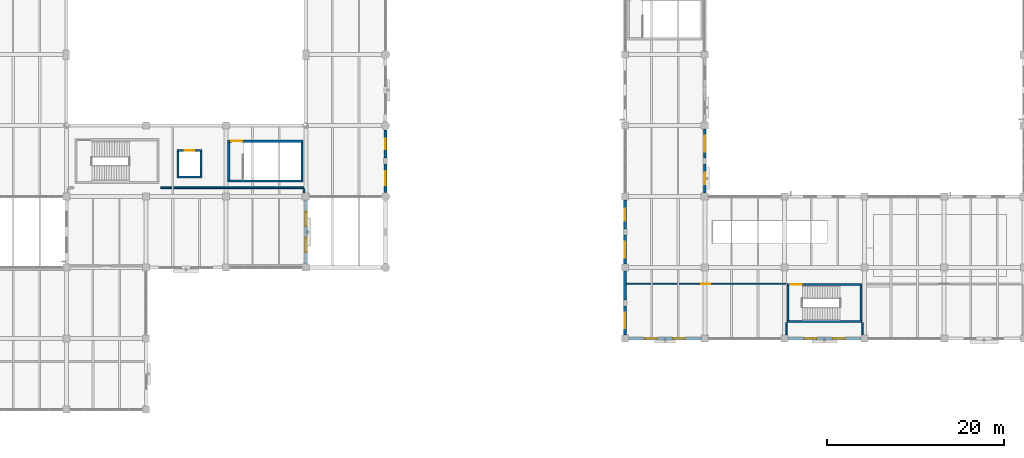
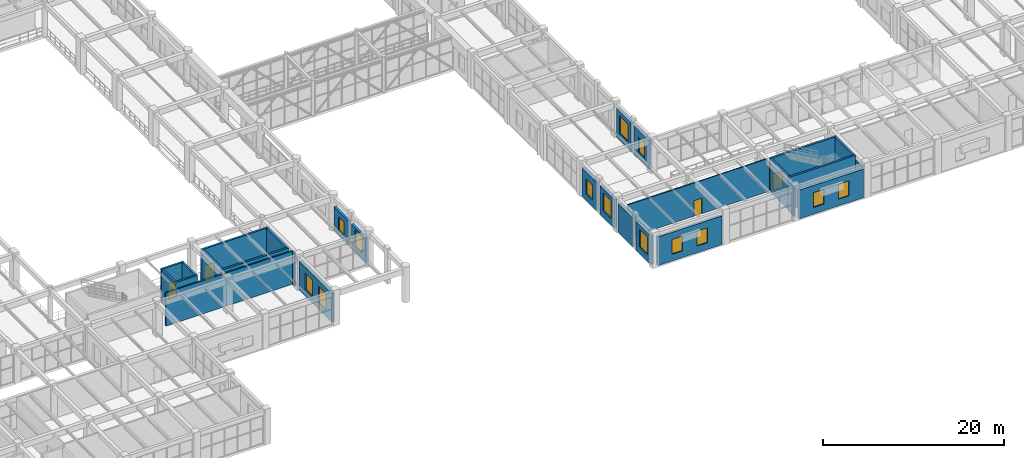
# One storey, part 152 of 178: 28 walls, 13 windows, 4 doors, 17 openings.
"""IFC4 building model written with IfcOpenShell, lengths in metres."""

import ifcopenshell
import ifcopenshell.guid

model = None  # the IFC model being written
_history = None  # IfcOwnerHistory: only IFC2X3 demands one
_inside = {}  # id of a spatial element -> (the spatial element, [elements in it])
_under = {}  # id of a project, library or spatial element -> (it, [spatial elements below it])
_declared = {}  # id of a project -> (the project, [libraries it declares])
_typed = {}  # id of a type object -> (the type object, [elements of that type])
_made_of = {}  # id of a material, layer set ... -> (it, [elements and type objects made of it])


def new_model(schema):
    """Start an empty IFC model of exactly this schema.

    Asked for "IFC4X3", IfcOpenShell would pick the latest addendum, in which some entities
    have other attributes; the version numbers below select the first issue.
    IFC2X3 requires an IfcOwnerHistory on every rooted entity: one is made here for all.
    """
    global model, _history
    if schema == "IFC4X3":
        model = ifcopenshell.file(schema_version=(4, 3, 0, 0))
    else:
        model = ifcopenshell.file(schema=schema)
    _inside.clear()
    _under.clear()
    _declared.clear()
    _typed.clear()
    _made_of.clear()
    _history = None
    if model.schema == "IFC2X3":
        org = make("IfcOrganization", Name="unknown")
        user = make(
            "IfcPersonAndOrganization",
            ThePerson=make("IfcPerson", FamilyName="unknown"),
            TheOrganization=org,
        )
        app = make(
            "IfcApplication",
            ApplicationDeveloper=org,
            Version="unknown",
            ApplicationFullName="unknown",
            ApplicationIdentifier="unknown",
        )
        _history = make(
            "IfcOwnerHistory",
            OwningUser=user,
            OwningApplication=app,
            ChangeAction="ADDED",
            CreationDate=0,
        )
    return model


def make(cls, **values):
    """One entity of the class cls with the attributes given. An attribute that is None is left unset."""
    return model.create_entity(
        cls, **{name: value for name, value in values.items() if value is not None}
    )


def rooted(cls, **values):
    """An entity with a GlobalId (a new one), such as an element, a storey or a relation."""
    return make(cls, GlobalId=ifcopenshell.guid.new(), OwnerHistory=_history, **values)


def si_unit(unit_type, name, prefix=None):
    """IfcSIUnit, for example si_unit("LENGTHUNIT", "METRE", prefix="MILLI")."""
    return make("IfcSIUnit", UnitType=unit_type, Prefix=prefix, Name=name)


def derived_unit(unit_type, elements):
    """IfcDerivedUnit: a product of units, each with its exponent."""
    return make(
        "IfcDerivedUnit",
        Elements=[
            make("IfcDerivedUnitElement", Unit=unit, Exponent=power)
            for unit, power in elements
        ],
        UnitType=unit_type,
    )


def assignment(units):
    """IfcUnitAssignment: the units of a project."""
    return None if units is None else make("IfcUnitAssignment", Units=units)


def point(xyz):
    """IfcCartesianPoint."""
    return None if xyz is None else make("IfcCartesianPoint", Coordinates=xyz)


def direction(xyz):
    """IfcDirection."""
    return None if xyz is None else make("IfcDirection", DirectionRatios=xyz)


def frame(location, z_axis=None, x_axis=None):
    """IfcAxis2Placement3D, a coordinate frame: its origin and axes. An axis left out is left unset."""
    return make(
        "IfcAxis2Placement3D",
        Location=point(location),
        Axis=direction(z_axis),
        RefDirection=direction(x_axis),
    )


def frame_2d(location, x_axis=None):
    """IfcAxis2Placement2D, a coordinate frame in the plane: its origin and x axis."""
    return make(
        "IfcAxis2Placement2D", Location=point(location), RefDirection=direction(x_axis)
    )


def origin():
    """The frame at (0, 0, 0) with its axes left unset."""
    return frame((0.0, 0.0, 0.0))


def place(relative_to, where):
    """IfcLocalPlacement: puts the frame where relative to a parent placement (None: the world)."""
    return make(
        "IfcLocalPlacement", PlacementRelTo=relative_to, RelativePlacement=where
    )


def context(
    kind, dimensions, precision=None, world=None, true_north=None, identifier=None
):
    """IfcGeometricRepresentationContext, for example the 3D "Model" context."""
    return make(
        "IfcGeometricRepresentationContext",
        ContextIdentifier=identifier,
        ContextType=kind,
        CoordinateSpaceDimension=dimensions,
        Precision=precision,
        WorldCoordinateSystem=world,
        TrueNorth=true_north,
    )


def subcontext(parent, identifier, kind, view, scale=None):
    """IfcGeometricRepresentationSubContext, for example "Body" below "Model"."""
    return make(
        "IfcGeometricRepresentationSubContext",
        ContextIdentifier=identifier,
        ContextType=kind,
        ParentContext=parent,
        TargetScale=scale,
        TargetView=view,
    )


def project(units=None, contexts=None):
    """IfcProject with its units and contexts."""
    return rooted(
        "IfcProject",
        Name="project",
        RepresentationContexts=contexts,
        UnitsInContext=assignment(units),
    )


def spatial(cls, under=None, at=None, **own):
    """A site, building, storey or space (cls), placed at a placement, below another one or the project."""
    s = rooted(cls, ObjectPlacement=at, **own)
    if under is not None:
        _under.setdefault(under.id(), (under, []))[1].append(s)
    return s


def profile(cls, at=None, kind="AREA", **sizes):
    """A parametric profile (cls). Its sizes go by their IFC names, for example OverallWidth=200.0."""
    return make(cls, ProfileType=kind, Position=at, **sizes)


def rectangle(**sizes):
    """IfcRectangleProfileDef."""
    return profile("IfcRectangleProfileDef", **sizes)


def extrude(swept, where, along, depth):
    """IfcExtrudedAreaSolid: the profile swept, set in the frame where, extruded along a direction by depth."""
    return make(
        "IfcExtrudedAreaSolid",
        SweptArea=swept,
        Position=where,
        ExtrudedDirection=direction(along),
        Depth=depth,
    )


def shape(context_of_items, identifier, shape_type, items):
    """IfcShapeRepresentation: the items that make up one representation, for example the "Body"."""
    return make(
        "IfcShapeRepresentation",
        ContextOfItems=context_of_items,
        RepresentationIdentifier=identifier,
        RepresentationType=shape_type,
        Items=items,
    )


def material(Name=None, Category=None):
    """IfcMaterial."""
    return make("IfcMaterial", Name=Name, Category=Category)


def layer(
    of_material, thickness, ventilated=None, Name=None, Category=None, Priority=None
):
    """IfcMaterialLayer: one layer of a wall or slab, of a material (None: an air gap)."""
    return make(
        "IfcMaterialLayer",
        Material=of_material,
        LayerThickness=thickness,
        IsVentilated=ventilated,
        Name=Name,
        Category=Category,
        Priority=Priority,
    )


def layer_set(layers, Name=None):
    """IfcMaterialLayerSet."""
    return make("IfcMaterialLayerSet", MaterialLayers=layers, LayerSetName=Name)


def made_of(thing, what):
    """Note that an element or type object is made of a material, layer set ...; save() writes the relation."""
    if what is not None:
        _made_of.setdefault(what.id(), (what, []))[1].append(thing)
    return thing


def type_object(cls, material=None, **own):
    """A type object (cls), such as IfcWallType, which elements share."""
    return made_of(rooted(cls, **own), material)


def element(
    cls,
    number,
    at=None,
    inside=None,
    cuts=None,
    type_object=None,
    material=None,
    context=None,
    identifier="Body",
    shape_type=None,
    held_by="IfcProductDefinitionShape",
    body=None,
    shapes=None,
    **own,
):
    """One element of the class cls, such as IfcWall. Its Tag is "e" and its number.

    at: its placement. inside: the storey or other place that contains it. cuts: it is an
    opening in that element (IfcRelVoidsElement). A single representation is given by context,
    identifier, shape_type and body (its items); several are given by shapes. held_by: the class
    of the entity that holds the representations. save() writes the other relations.
    """
    e = rooted(cls, Tag="e%d" % number, ObjectPlacement=at, **own)
    if body is not None:
        shapes = [shape(context, identifier, shape_type, body)]
    if shapes is not None:
        e.Representation = make(held_by, Representations=shapes)
    if inside is not None:
        _inside.setdefault(inside.id(), (inside, []))[1].append(e)
    if cuts is not None:
        rooted(
            "IfcRelVoidsElement", RelatingBuildingElement=cuts, RelatedOpeningElement=e
        )
    if type_object is not None:
        _typed.setdefault(type_object.id(), (type_object, []))[1].append(e)
    return made_of(e, material)


def fill(opening, filler):
    """IfcRelFillsElement: the door or window that sits in an opening."""
    return rooted(
        "IfcRelFillsElement",
        RelatingOpeningElement=opening,
        RelatedBuildingElement=filler,
    )


def aggregate(whole, parts):
    """IfcRelAggregates: a whole, such as a stair, and the parts it consists of."""
    return rooted("IfcRelAggregates", RelatingObject=whole, RelatedObjects=parts)


def save(model, path):
    """Write the relations noted so far, then the file.

    IfcRelAggregates (storeys below a building ...), IfcRelContainedInSpatialStructure (elements
    in a storey), IfcRelDefinesByType, IfcRelAssociatesMaterial and IfcRelDeclares: one each for
    every whole, place, type object, material and project.
    """
    for whole, parts in _under.values():
        aggregate(whole, parts)
    for where, things in _inside.values():
        rooted(
            "IfcRelContainedInSpatialStructure",
            RelatedElements=things,
            RelatingStructure=where,
        )
    for kind, things in _typed.values():
        rooted("IfcRelDefinesByType", RelatedObjects=things, RelatingType=kind)
    for what, things in _made_of.values():
        rooted("IfcRelAssociatesMaterial", RelatedObjects=things, RelatingMaterial=what)
    for by, libraries in _declared.values():
        rooted("IfcRelDeclares", RelatingContext=by, RelatedDefinitions=libraries)
    model.write(path)


model = new_model("IFC4")

# Units and contexts
model_context = context("Model", 3, precision=1e-05, world=origin(), true_north=direction((0.0, 1.0)))
body_context = subcontext(model_context, "Body", "Model", "MODEL_VIEW")
ifc_project = project(units=[si_unit("LENGTHUNIT", "METRE"), si_unit("AREAUNIT", "SQUARE_METRE"), si_unit("VOLUMEUNIT", "CUBIC_METRE"), si_unit("PLANEANGLEUNIT", "RADIAN"), si_unit("MASSUNIT", "GRAM", prefix="KILO"), derived_unit("THERMALTRANSMITTANCEUNIT", [(si_unit("MASSUNIT", "GRAM", prefix="KILO"), 1), (si_unit("TIMEUNIT", "SECOND"), -3), (si_unit("THERMODYNAMICTEMPERATUREUNIT", "KELVIN"), -1)])], contexts=[model_context])

# Site, building, storey
site_placement = place(None, origin())
site = spatial("IfcSite", under=ifc_project, at=site_placement, CompositionType="ELEMENT")
building_placement = place(site_placement, origin())
building = spatial("IfcBuilding", under=site, at=building_placement, Name="Zhenchuan Archway Interchange", CompositionType="ELEMENT")
storey_placement = place(building_placement, frame((0.0, 0.0, 5.39990234375)))
storey = spatial("IfcBuildingStorey", under=building, at=storey_placement, Name="L01", CompositionType="ELEMENT", Elevation=5.39990234375)

# Wall, openings, windows
ifc_material_1 = material(Name="Granite Stone Cladding", Category="masonry")
ifc_layer_1 = layer(ifc_material_1, 0.320068359375)
ifc_layer_set_1 = layer_set([ifc_layer_1], Name="Granite Stone Cladding")
wall_type_1 = type_object("IfcWallType", Name="EW_GRANITE_320", PredefinedType="STANDARD", material=ifc_layer_set_1)
wall_1_placement = place(storey_placement, frame((125.60205078125, 8.0, 0.0), z_axis=(0.0, 0.0, 1.0), x_axis=(-1.0, 0.0, 0.0)))
wall_1 = element("IfcWall", 1, at=wall_1_placement, inside=storey, type_object=wall_type_1, Name="Exterior wall L01-071", PredefinedType="STANDARD", context=body_context, shape_type="SweptSolid", body=[
    extrude(rectangle(XDim=8.2041015625, YDim=0.320068359375, at=frame_2d((4.10205078125, 0.0))), origin(), (0.0, 0.0, 1.0), 3.860107421875),
])
opening_1_placement = place(wall_1_placement, frame((1.834716796875, 0.0, 0.89990234375)))
opening_1 = element("IfcOpeningElement", 2, at=opening_1_placement, cuts=wall_1, Name="Opening W-06", PredefinedType="OPENING", context=body_context, shape_type="SweptSolid", body=[
    extrude(rectangle(XDim=1.35009765625, YDim=2.0, at=frame_2d((0.675048828125, 1.0))), frame((0.0, 0.171875, 0.0), z_axis=(0.0, -1.0, 0.0), x_axis=(1.0, 0.0, 0.0)), (0.0, 0.0, 1.0), 0.343994140625),
])
opening_2_placement = place(wall_1_placement, frame((5.019287109375, 0.0, 0.89990234375)))
opening_2 = element("IfcOpeningElement", 3, at=opening_2_placement, cuts=wall_1, Name="Opening W-06", PredefinedType="OPENING", context=body_context, shape_type="SweptSolid", body=[
    extrude(rectangle(XDim=1.35009765625, YDim=2.0, at=frame_2d((0.675048828125, 1.0))), frame((0.0, 0.171875, 0.0), z_axis=(0.0, -1.0, 0.0), x_axis=(1.0, 0.0, 0.0)), (0.0, 0.0, 1.0), 0.343994140625),
])
ifc_material_2 = material(Name="Double Low-E Insulated Glazing", Category="glass")
window_type_1 = type_object("IfcWindowType", Name="WN_MOD_1350x2000", PartitioningType="SINGLE_PANEL", PredefinedType="WINDOW", material=ifc_material_2)
window_1_placement = place(opening_1_placement, origin())
window_1 = element("IfcWindow", 4, at=window_1_placement, inside=storey, type_object=window_type_1, Name="Window L01-0150", OverallHeight=2.0, OverallWidth=1.35009765625, PartitioningType="SINGLE_PANEL", PredefinedType="WINDOW", context=body_context, shape_type="SweptSolid", body=[
    extrude(rectangle(XDim=1.35009765625, YDim=2.0, at=frame_2d((0.675048828125, 1.0))), frame((0.0, 0.030029296875, 0.0), z_axis=(0.0, -1.0, 0.0), x_axis=(1.0, 0.0, 0.0)), (0.0, 0.0, 1.0), 0.06005859375),
])
fill(opening_1, window_1)
window_2_placement = place(opening_2_placement, origin())
window_2 = element("IfcWindow", 5, at=window_2_placement, inside=storey, type_object=window_type_1, Name="Window L01-0151", OverallHeight=2.0, OverallWidth=1.35009765625, PartitioningType="SINGLE_PANEL", PredefinedType="WINDOW", context=body_context, shape_type="SweptSolid", body=[
    extrude(rectangle(XDim=1.35009765625, YDim=2.0, at=frame_2d((0.675048828125, 1.0))), frame((0.0, 0.030029296875, 0.0), z_axis=(0.0, -1.0, 0.0), x_axis=(1.0, 0.0, 0.0)), (0.0, 0.0, 1.0), 0.06005859375),
])
fill(opening_2, window_2)

wall_2_placement = place(storey_placement, frame((107.60205078125, 8.0, 0.0), z_axis=(0.0, 0.0, 1.0), x_axis=(-1.0, 0.0, 0.0)))
wall_2 = element("IfcWall", 6, at=wall_2_placement, inside=storey, type_object=wall_type_1, Name="Exterior wall L01-073", PredefinedType="STANDARD", context=body_context, shape_type="SweptSolid", body=[
    extrude(rectangle(XDim=8.2041015625, YDim=0.320068359375, at=frame_2d((4.10205078125, 0.0))), origin(), (0.0, 0.0, 1.0), 3.860107421875),
])
opening_3_placement = place(wall_2_placement, frame((1.834716796875, 0.0, 0.89990234375)))
opening_3 = element("IfcOpeningElement", 7, at=opening_3_placement, cuts=wall_2, Name="Opening W-06", PredefinedType="OPENING", context=body_context, shape_type="SweptSolid", body=[
    extrude(rectangle(XDim=1.35009765625, YDim=2.0, at=frame_2d((0.675048828125, 1.0))), frame((0.0, 0.171875, 0.0), z_axis=(0.0, -1.0, 0.0), x_axis=(1.0, 0.0, 0.0)), (0.0, 0.0, 1.0), 0.343994140625),
])
opening_4_placement = place(wall_2_placement, frame((5.019287109375, 0.0, 0.89990234375)))
opening_4 = element("IfcOpeningElement", 8, at=opening_4_placement, cuts=wall_2, Name="Opening W-06", PredefinedType="OPENING", context=body_context, shape_type="SweptSolid", body=[
    extrude(rectangle(XDim=1.35009765625, YDim=2.0, at=frame_2d((0.675048828125, 1.0))), frame((0.0, 0.171875, 0.0), z_axis=(0.0, -1.0, 0.0), x_axis=(1.0, 0.0, 0.0)), (0.0, 0.0, 1.0), 0.343994140625),
])
window_3_placement = place(opening_3_placement, origin())
window_3 = element("IfcWindow", 9, at=window_3_placement, inside=storey, type_object=window_type_1, Name="Window L01-0152", OverallHeight=2.0, OverallWidth=1.35009765625, PartitioningType="SINGLE_PANEL", PredefinedType="WINDOW", context=body_context, shape_type="SweptSolid", body=[
    extrude(rectangle(XDim=1.35009765625, YDim=2.0, at=frame_2d((0.675048828125, 1.0))), frame((0.0, 0.030029296875, 0.0), z_axis=(0.0, -1.0, 0.0), x_axis=(1.0, 0.0, 0.0)), (0.0, 0.0, 1.0), 0.06005859375),
])
fill(opening_3, window_3)
window_4_placement = place(opening_4_placement, origin())
window_4 = element("IfcWindow", 10, at=window_4_placement, inside=storey, type_object=window_type_1, Name="Window L01-0153", OverallHeight=2.0, OverallWidth=1.35009765625, PartitioningType="SINGLE_PANEL", PredefinedType="WINDOW", context=body_context, shape_type="SweptSolid", body=[
    extrude(rectangle(XDim=1.35009765625, YDim=2.0, at=frame_2d((0.675048828125, 1.0))), frame((0.0, 0.030029296875, 0.0), z_axis=(0.0, -1.0, 0.0), x_axis=(1.0, 0.0, 0.0)), (0.0, 0.0, 1.0), 0.06005859375),
])
fill(opening_4, window_4)

# Wall, opening, window
wall_3_placement = place(storey_placement, frame((99.0, 8.39794921875, 0.0), z_axis=(0.0, 0.0, 1.0), x_axis=(0.0, 1.0, 0.0)))
wall_3 = element("IfcWall", 11, at=wall_3_placement, inside=storey, type_object=wall_type_1, Name="Exterior wall L01-074", PredefinedType="STANDARD", context=body_context, shape_type="SweptSolid", body=[
    extrude(rectangle(XDim=3.254150390625, YDim=0.320068359375, at=frame_2d((1.626953125, 0.0))), origin(), (0.0, 0.0, 1.0), 3.860107421875),
])
opening_5_placement = place(wall_3_placement, frame((0.72705078125, 0.0, 0.89990234375)))
opening_5 = element("IfcOpeningElement", 12, at=opening_5_placement, cuts=wall_3, Name="Opening W-03", PredefinedType="OPENING", context=body_context, shape_type="SweptSolid", body=[
    extrude(rectangle(XDim=1.800048828125, YDim=2.39990234375, at=frame_2d((0.89990234375, 1.199951171875))), frame((0.0, 0.171875, 0.0), z_axis=(0.0, -1.0, 0.0), x_axis=(1.0, 0.0, 0.0)), (0.0, 0.0, 1.0), 0.343994140625),
])
window_type_2 = type_object("IfcWindowType", Name="WN_PUNCH_1800x2400", PartitioningType="SINGLE_PANEL", PredefinedType="WINDOW", material=ifc_material_2)
window_5_placement = place(opening_5_placement, origin())
window_5 = element("IfcWindow", 13, at=window_5_placement, inside=storey, type_object=window_type_2, Name="Window L01-0154", OverallHeight=2.39990234375, OverallWidth=1.800048828125, PartitioningType="SINGLE_PANEL", PredefinedType="WINDOW", context=body_context, shape_type="SweptSolid", body=[
    extrude(rectangle(XDim=1.800048828125, YDim=2.39990234375, at=frame_2d((0.89990234375, 1.199951171875))), frame((0.0, 0.030029296875, 0.0), z_axis=(0.0, -1.0, 0.0), x_axis=(1.0, 0.0, 0.0)), (0.0, 0.0, 1.0), 0.06005859375),
])
fill(opening_5, window_5)

# Wall
wall_4_placement = place(storey_placement, frame((99.0, 12.347900390625, 0.0), z_axis=(0.0, 0.0, 1.0), x_axis=(0.0, 1.0, 0.0)))
element("IfcWall", 14, at=wall_4_placement, inside=storey, type_object=wall_type_1, Name="Exterior wall L01-075", PredefinedType="STANDARD", context=body_context, shape_type="SweptSolid", body=[
    extrude(rectangle(XDim=3.254150390625, YDim=0.320068359375, at=frame_2d((1.626953125, 0.0))), origin(), (0.0, 0.0, 1.0), 3.860107421875),
])

# Wall, opening, window
wall_5_placement = place(storey_placement, frame((99.0, 16.39794921875, 0.0), z_axis=(0.0, 0.0, 1.0), x_axis=(0.0, 1.0, 0.0)))
wall_5 = element("IfcWall", 15, at=wall_5_placement, inside=storey, type_object=wall_type_1, Name="Exterior wall L01-076", PredefinedType="STANDARD", context=body_context, shape_type="SweptSolid", body=[
    extrude(rectangle(XDim=3.254150390625, YDim=0.320068359375, at=frame_2d((1.626953125, 0.0))), origin(), (0.0, 0.0, 1.0), 3.860107421875),
])
opening_6_placement = place(wall_5_placement, frame((0.72705078125, 0.0, 0.89990234375)))
opening_6 = element("IfcOpeningElement", 16, at=opening_6_placement, cuts=wall_5, Name="Opening W-03", PredefinedType="OPENING", context=body_context, shape_type="SweptSolid", body=[
    extrude(rectangle(XDim=1.800048828125, YDim=2.39990234375, at=frame_2d((0.89990234375, 1.199951171875))), frame((0.0, 0.171875, 0.0), z_axis=(0.0, -1.0, 0.0), x_axis=(1.0, 0.0, 0.0)), (0.0, 0.0, 1.0), 0.343994140625),
])
window_6_placement = place(opening_6_placement, origin())
window_6 = element("IfcWindow", 17, at=window_6_placement, inside=storey, type_object=window_type_2, Name="Window L01-0155", OverallHeight=2.39990234375, OverallWidth=1.800048828125, PartitioningType="SINGLE_PANEL", PredefinedType="WINDOW", context=body_context, shape_type="SweptSolid", body=[
    extrude(rectangle(XDim=1.800048828125, YDim=2.39990234375, at=frame_2d((0.89990234375, 1.199951171875))), frame((0.0, 0.030029296875, 0.0), z_axis=(0.0, -1.0, 0.0), x_axis=(1.0, 0.0, 0.0)), (0.0, 0.0, 1.0), 0.06005859375),
])
fill(opening_6, window_6)

wall_6_placement = place(storey_placement, frame((99.0, 20.347900390625, 0.0), z_axis=(0.0, 0.0, 1.0), x_axis=(0.0, 1.0, 0.0)))
wall_6 = element("IfcWall", 18, at=wall_6_placement, inside=storey, type_object=wall_type_1, Name="Exterior wall L01-077", PredefinedType="STANDARD", context=body_context, shape_type="SweptSolid", body=[
    extrude(rectangle(XDim=3.254150390625, YDim=0.320068359375, at=frame_2d((1.626953125, 0.0))), origin(), (0.0, 0.0, 1.0), 3.860107421875),
])
opening_7_placement = place(wall_6_placement, frame((0.951904296875, 0.0, 0.89990234375)))
opening_7 = element("IfcOpeningElement", 19, at=opening_7_placement, cuts=wall_6, Name="Opening W-06", PredefinedType="OPENING", context=body_context, shape_type="SweptSolid", body=[
    extrude(rectangle(XDim=1.35009765625, YDim=2.0, at=frame_2d((0.675048828125, 1.0))), frame((0.0, 0.171875, 0.0), z_axis=(0.0, -1.0, 0.0), x_axis=(1.0, 0.0, 0.0)), (0.0, 0.0, 1.0), 0.343994140625),
])
window_7_placement = place(opening_7_placement, origin())
window_7 = element("IfcWindow", 20, at=window_7_placement, inside=storey, type_object=window_type_1, Name="Window L01-0156", OverallHeight=2.0, OverallWidth=1.35009765625, PartitioningType="SINGLE_PANEL", PredefinedType="WINDOW", context=body_context, shape_type="SweptSolid", body=[
    extrude(rectangle(XDim=1.35009765625, YDim=2.0, at=frame_2d((0.675048828125, 1.0))), frame((0.0, 0.030029296875, 0.0), z_axis=(0.0, -1.0, 0.0), x_axis=(1.0, 0.0, 0.0)), (0.0, 0.0, 1.0), 0.06005859375),
])
fill(opening_7, window_7)

wall_7_placement = place(storey_placement, frame((108.0, 31.60205078125, 0.0), z_axis=(0.0, 0.0, 1.0), x_axis=(0.0, -1.0, 0.0)))
wall_7 = element("IfcWall", 21, at=wall_7_placement, inside=storey, type_object=wall_type_1, Name="Exterior wall L01-146", PredefinedType="STANDARD", context=body_context, shape_type="SweptSolid", body=[
    extrude(rectangle(XDim=3.279052734375, YDim=0.320068359375, at=frame_2d((1.6396484375, 0.0))), origin(), (0.0, 0.0, 1.0), 3.860107421875),
])
opening_8_placement = place(wall_7_placement, frame((0.739501953125, 0.0, 0.89990234375)))
opening_8 = element("IfcOpeningElement", 22, at=opening_8_placement, cuts=wall_7, Name="Opening W-03", PredefinedType="OPENING", context=body_context, shape_type="SweptSolid", body=[
    extrude(rectangle(XDim=1.800048828125, YDim=2.39990234375, at=frame_2d((0.89990234375, 1.199951171875))), frame((0.0, 0.171875, 0.0), z_axis=(0.0, -1.0, 0.0), x_axis=(1.0, 0.0, 0.0)), (0.0, 0.0, 1.0), 0.343994140625),
])
window_8_placement = place(opening_8_placement, origin())
window_8 = element("IfcWindow", 23, at=window_8_placement, inside=storey, type_object=window_type_2, Name="Window L01-0188", OverallHeight=2.39990234375, OverallWidth=1.800048828125, PartitioningType="SINGLE_PANEL", PredefinedType="WINDOW", context=body_context, shape_type="SweptSolid", body=[
    extrude(rectangle(XDim=1.800048828125, YDim=2.39990234375, at=frame_2d((0.89990234375, 1.199951171875))), frame((0.0, 0.030029296875, 0.0), z_axis=(0.0, -1.0, 0.0), x_axis=(1.0, 0.0, 0.0)), (0.0, 0.0, 1.0), 0.06005859375),
])
fill(opening_8, window_8)

wall_8_placement = place(storey_placement, frame((108.0, 27.677001953125, 0.0), z_axis=(0.0, 0.0, 1.0), x_axis=(0.0, -1.0, 0.0)))
wall_8 = element("IfcWall", 24, at=wall_8_placement, inside=storey, type_object=wall_type_1, Name="Exterior wall L01-147", PredefinedType="STANDARD", context=body_context, shape_type="SweptSolid", body=[
    extrude(rectangle(XDim=3.279052734375, YDim=0.320068359375, at=frame_2d((1.6396484375, 0.0))), origin(), (0.0, 0.0, 1.0), 3.860107421875),
])
opening_9_placement = place(wall_8_placement, frame((0.964599609375, 0.0, 0.89990234375)))
opening_9 = element("IfcOpeningElement", 25, at=opening_9_placement, cuts=wall_8, Name="Opening W-06", PredefinedType="OPENING", context=body_context, shape_type="SweptSolid", body=[
    extrude(rectangle(XDim=1.35009765625, YDim=2.0, at=frame_2d((0.675048828125, 1.0))), frame((0.0, 0.171875, 0.0), z_axis=(0.0, -1.0, 0.0), x_axis=(1.0, 0.0, 0.0)), (0.0, 0.0, 1.0), 0.343994140625),
])
window_9_placement = place(opening_9_placement, origin())
window_9 = element("IfcWindow", 26, at=window_9_placement, inside=storey, type_object=window_type_1, Name="Window L01-0189", OverallHeight=2.0, OverallWidth=1.35009765625, PartitioningType="SINGLE_PANEL", PredefinedType="WINDOW", context=body_context, shape_type="SweptSolid", body=[
    extrude(rectangle(XDim=1.35009765625, YDim=2.0, at=frame_2d((0.675048828125, 1.0))), frame((0.0, 0.030029296875, 0.0), z_axis=(0.0, -1.0, 0.0), x_axis=(1.0, 0.0, 0.0)), (0.0, 0.0, 1.0), 0.06005859375),
])
fill(opening_9, window_9)

ifc_material_3 = material(Name="Terracotta Masonry", Category="masonry")
ifc_layer_2 = layer(ifc_material_3, 0.340087890625)
ifc_layer_set_2 = layer_set([ifc_layer_2], Name="Terracotta Masonry")
wall_type_2 = type_object("IfcWallType", Name="EW_TERRA_340", PredefinedType="STANDARD", material=ifc_layer_set_2)
wall_9_placement = place(storey_placement, frame((72.0, 31.528076171875, 0.0), z_axis=(0.0, 0.0, 1.0), x_axis=(0.0, -1.0, 0.0)))
wall_9 = element("IfcWall", 27, at=wall_9_placement, inside=storey, type_object=wall_type_2, Name="Exterior wall L01-088", PredefinedType="STANDARD", context=body_context, shape_type="SweptSolid", body=[
    extrude(rectangle(XDim=3.18017578125, YDim=0.340087890625, at=frame_2d((1.590087890625, 0.0))), origin(), (0.0, 0.0, 1.0), 3.260009765625),
])
opening_10_placement = place(wall_9_placement, frame((0.989990234375, 0.0, 0.699951171875)))
opening_10 = element("IfcOpeningElement", 28, at=opening_10_placement, cuts=wall_9, Name="Opening W-07", PredefinedType="OPENING", context=body_context, shape_type="SweptSolid", body=[
    extrude(rectangle(XDim=1.199951171875, YDim=1.800048828125, at=frame_2d((0.60009765625, 0.89990234375))), frame((0.0, 0.18212890625, 0.0), z_axis=(0.0, -1.0, 0.0), x_axis=(1.0, 0.0, 0.0)), (0.0, 0.0, 1.0), 0.364013671875),
])
window_type_3 = type_object("IfcWindowType", Name="WN_MOD_1200x1800", PartitioningType="SINGLE_PANEL", PredefinedType="WINDOW", material=ifc_material_2)
window_10_placement = place(opening_10_placement, origin())
window_10 = element("IfcWindow", 29, at=window_10_placement, inside=storey, type_object=window_type_3, Name="Window L01-0163", OverallHeight=1.800048828125, OverallWidth=1.199951171875, PartitioningType="SINGLE_PANEL", PredefinedType="WINDOW", context=body_context, shape_type="SweptSolid", body=[
    extrude(rectangle(XDim=1.199951171875, YDim=1.800048828125, at=frame_2d((0.60009765625, 0.89990234375))), frame((0.0, 0.030029296875, 0.0), z_axis=(0.0, -1.0, 0.0), x_axis=(1.0, 0.0, 0.0)), (0.0, 0.0, 1.0), 0.06005859375),
])
fill(opening_10, window_10)

wall_10_placement = place(storey_placement, frame((72.0, 27.652099609375, 0.0), z_axis=(0.0, 0.0, 1.0), x_axis=(0.0, -1.0, 0.0)))
wall_10 = element("IfcWall", 30, at=wall_10_placement, inside=storey, type_object=wall_type_2, Name="Exterior wall L01-089", PredefinedType="STANDARD", context=body_context, shape_type="SweptSolid", body=[
    extrude(rectangle(XDim=3.18017578125, YDim=0.340087890625, at=frame_2d((1.590087890625, 0.0))), origin(), (0.0, 0.0, 1.0), 3.260009765625),
])
opening_11_placement = place(wall_10_placement, frame((0.7900390625, 0.0, 0.75)))
opening_11 = element("IfcOpeningElement", 31, at=opening_11_placement, cuts=wall_10, Name="Opening W-04", PredefinedType="OPENING", context=body_context, shape_type="SweptSolid", body=[
    extrude(rectangle(XDim=1.60009765625, YDim=2.199951171875, at=frame_2d((0.800048828125, 1.10009765625))), frame((0.0, 0.18212890625, 0.0), z_axis=(0.0, -1.0, 0.0), x_axis=(1.0, 0.0, 0.0)), (0.0, 0.0, 1.0), 0.364013671875),
])
window_type_4 = type_object("IfcWindowType", Name="WN_PUNCH_1600x2200", PartitioningType="SINGLE_PANEL", PredefinedType="WINDOW", material=ifc_material_2)
window_11_placement = place(opening_11_placement, origin())
window_11 = element("IfcWindow", 32, at=window_11_placement, inside=storey, type_object=window_type_4, Name="Window L01-0164", OverallHeight=2.199951171875, OverallWidth=1.60009765625, PartitioningType="SINGLE_PANEL", PredefinedType="WINDOW", context=body_context, shape_type="SweptSolid", body=[
    extrude(rectangle(XDim=1.60009765625, YDim=2.199951171875, at=frame_2d((0.800048828125, 1.10009765625))), frame((0.0, 0.030029296875, 0.0), z_axis=(0.0, -1.0, 0.0), x_axis=(1.0, 0.0, 0.0)), (0.0, 0.0, 1.0), 0.06005859375),
])
fill(opening_11, window_11)

# Wall, openings, windows
wall_11_placement = place(storey_placement, frame((63.0, 23.60205078125, 0.0), z_axis=(0.0, 0.0, 1.0), x_axis=(0.0, -1.0, 0.0)))
wall_11 = element("IfcWall", 33, at=wall_11_placement, inside=storey, type_object=wall_type_2, Name="Exterior wall L01-091", PredefinedType="STANDARD", context=body_context, shape_type="SweptSolid", body=[
    extrude(rectangle(XDim=7.2041015625, YDim=0.340087890625, at=frame_2d((3.60205078125, 0.0))), origin(), (0.0, 0.0, 1.0), 3.860107421875),
])
opening_12_placement = place(wall_11_placement, frame((1.334716796875, 0.0, 0.89990234375)))
opening_12 = element("IfcOpeningElement", 34, at=opening_12_placement, cuts=wall_11, Name="Opening W-04", PredefinedType="OPENING", context=body_context, shape_type="SweptSolid", body=[
    extrude(rectangle(XDim=1.60009765625, YDim=2.199951171875, at=frame_2d((0.800048828125, 1.10009765625))), frame((0.0, 0.18212890625, 0.0), z_axis=(0.0, -1.0, 0.0), x_axis=(1.0, 0.0, 0.0)), (0.0, 0.0, 1.0), 0.364013671875),
])
opening_13_placement = place(wall_11_placement, frame((4.269287109375, 0.0, 0.89990234375)))
opening_13 = element("IfcOpeningElement", 35, at=opening_13_placement, cuts=wall_11, Name="Opening W-04", PredefinedType="OPENING", context=body_context, shape_type="SweptSolid", body=[
    extrude(rectangle(XDim=1.60009765625, YDim=2.199951171875, at=frame_2d((0.800048828125, 1.10009765625))), frame((0.0, 0.18212890625, 0.0), z_axis=(0.0, -1.0, 0.0), x_axis=(1.0, 0.0, 0.0)), (0.0, 0.0, 1.0), 0.364013671875),
])
window_12_placement = place(opening_12_placement, origin())
window_12 = element("IfcWindow", 36, at=window_12_placement, inside=storey, type_object=window_type_4, Name="Window L01-0165", OverallHeight=2.199951171875, OverallWidth=1.60009765625, PartitioningType="SINGLE_PANEL", PredefinedType="WINDOW", context=body_context, shape_type="SweptSolid", body=[
    extrude(rectangle(XDim=1.60009765625, YDim=2.199951171875, at=frame_2d((0.800048828125, 1.10009765625))), frame((0.0, 0.030029296875, 0.0), z_axis=(0.0, -1.0, 0.0), x_axis=(1.0, 0.0, 0.0)), (0.0, 0.0, 1.0), 0.06005859375),
])
fill(opening_12, window_12)
window_13_placement = place(opening_13_placement, origin())
window_13 = element("IfcWindow", 37, at=window_13_placement, inside=storey, type_object=window_type_4, Name="Window L01-0166", OverallHeight=2.199951171875, OverallWidth=1.60009765625, PartitioningType="SINGLE_PANEL", PredefinedType="WINDOW", context=body_context, shape_type="SweptSolid", body=[
    extrude(rectangle(XDim=1.60009765625, YDim=2.199951171875, at=frame_2d((0.800048828125, 1.10009765625))), frame((0.0, 0.030029296875, 0.0), z_axis=(0.0, -1.0, 0.0), x_axis=(1.0, 0.0, 0.0)), (0.0, 0.0, 1.0), 0.06005859375),
])
fill(opening_13, window_13)

# Wall
ifc_material_4 = material(Name="Concrete C40", Category="concrete")
ifc_layer_3 = layer(ifc_material_4, 0.239990234375)
ifc_layer_set_3 = layer_set([ifc_layer_3], Name="Concrete C40")
wall_type_3 = type_object("IfcWallType", Name="WL_LIFT_240", PredefinedType="SHEAR", material=ifc_layer_set_3)
wall_12_placement = place(storey_placement, frame((48.47998046875, 26.199951171875, 0.0), z_axis=(0.0, 0.0, 1.0), x_axis=(1.0, 0.0, 0.0)))
element("IfcWall", 38, at=wall_12_placement, inside=storey, type_object=wall_type_3, Name="Lift LF-01 south shaft wall (L01)", PredefinedType="SHEAR", context=body_context, shape_type="SweptSolid", body=[
    extrude(rectangle(XDim=2.840087890625, YDim=0.239990234375, at=frame_2d((1.419921875, 0.0))), origin(), (0.0, 0.0, 1.0), 4.47998046875),
])

# Wall, opening, door
wall_13_placement = place(storey_placement, frame((51.320068359375, 29.199951171875, 0.0), z_axis=(0.0, 0.0, 1.0), x_axis=(-1.0, 0.0, 0.0)))
wall_13 = element("IfcWall", 39, at=wall_13_placement, inside=storey, type_object=wall_type_3, Name="Lift LF-01 north shaft wall (L01)", PredefinedType="SHEAR", context=body_context, shape_type="SweptSolid", body=[
    extrude(rectangle(XDim=2.840087890625, YDim=0.239990234375, at=frame_2d((1.419921875, 0.0))), origin(), (0.0, 0.0, 1.0), 4.47998046875),
])
opening_14_placement = place(wall_13_placement, frame((0.8701171875, 0.0, 0.0)))
opening_14 = element("IfcOpeningElement", 40, at=opening_14_placement, cuts=wall_13, Name="Opening LD-01", PredefinedType="OPENING", context=body_context, shape_type="SweptSolid", body=[
    extrude(rectangle(XDim=1.10009765625, YDim=2.199951171875, at=frame_2d((0.550048828125, 1.10009765625))), frame((0.0, 0.1318359375, 0.0), z_axis=(0.0, -1.0, 0.0), x_axis=(1.0, 0.0, 0.0)), (0.0, 0.0, 1.0), 0.263916015625),
])
ifc_material_5 = material(Name="Stainless Steel 304", Category="steel")
door_type_1 = type_object("IfcDoorType", Name="DR_LIFT_LD110", OperationType="DOUBLE_DOOR_SLIDING", PredefinedType="DOOR", material=ifc_material_5)
door_1_placement = place(opening_14_placement, origin())
door_1 = element("IfcDoor", 41, at=door_1_placement, inside=storey, type_object=door_type_1, Name="Lift LF-01 landing door (L01)", OperationType="DOUBLE_DOOR_SLIDING", OverallHeight=2.199951171875, OverallWidth=1.10009765625, PredefinedType="DOOR", context=body_context, shape_type="SweptSolid", body=[
    extrude(rectangle(XDim=1.10009765625, YDim=2.199951171875, at=frame_2d((0.550048828125, 1.10009765625))), frame((0.0, 0.02490234375, 0.0), z_axis=(0.0, -1.0, 0.0), x_axis=(1.0, 0.0, 0.0)), (0.0, 0.0, 1.0), 0.050048828125),
])
fill(opening_14, door_1)

# Walls
for number, where, z_axis, x_axis, name in (
    (42, (48.60009765625, 29.080078125, 0.0), (0.0, 0.0, 1.0), (0.0, -1.0, 0.0), "Lift LF-01 west shaft wall (L01)"),
    (43, (51.199951171875, 26.320068359375, 0.0), (0.0, 0.0, 1.0), (0.0, 1.0, 0.0), "Lift LF-01 east shaft wall (L01)"),
):
    element("IfcWall", number, at=place(storey_placement, frame(where, z_axis=z_axis, x_axis=x_axis)), inside=storey, type_object=wall_type_3, Name=name, PredefinedType="SHEAR", context=body_context, shape_type="SweptSolid", body=[
        extrude(rectangle(XDim=2.760009765625, YDim=0.239990234375, at=frame_2d((1.3798828125, 0.0))), origin(), (0.0, 0.0, 1.0), 4.47998046875),
    ])

# Wall, opening, door
ifc_material_6 = material(Name="Gypsum Plasterboard", Category="gypsum")
ifc_layer_4 = layer(ifc_material_6, 0.14990234375)
ifc_layer_set_4 = layer_set([ifc_layer_4], Name="Gypsum Plasterboard")
wall_type_4 = type_object("IfcWallType", Name="WL_PART_150", PredefinedType="STANDARD", material=ifc_layer_set_4)
wall_14_placement = place(storey_placement, frame((99.175048828125, 14.159912109375, 0.0), z_axis=(0.0, 0.0, 1.0), x_axis=(1.0, 0.0, 0.0)))
wall_14 = element("IfcWall", 44, at=wall_14_placement, inside=storey, type_object=wall_type_4, Name="Staff Canteen and Dining Hall N partition (L01)", PredefinedType="STANDARD", context=body_context, shape_type="SweptSolid", body=[
    extrude(rectangle(XDim=17.929931640625, YDim=0.14990234375, at=frame_2d((8.96484375, 0.0))), origin(), (0.0, 0.0, 1.0), 4.47998046875),
])
opening_15_placement = place(wall_14_placement, frame((8.452392578125, 0.0, 0.0)))
opening_15 = element("IfcOpeningElement", 45, at=opening_15_placement, cuts=wall_14, Name="Opening ID-02", PredefinedType="OPENING", context=body_context, shape_type="SweptSolid", body=[
    extrude(rectangle(XDim=1.0, YDim=2.10009765625, at=frame_2d((0.5, 1.050048828125))), frame((0.0, 0.0869140625, 0.0), z_axis=(0.0, -1.0, 0.0), x_axis=(1.0, 0.0, 0.0)), (0.0, 0.0, 1.0), 0.173828125),
])
ifc_material_7 = material(Name="Hardwood Timber", Category="wood")
door_type_2 = type_object("IfcDoorType", Name="DR_OPS_100", OperationType="NOTDEFINED", PredefinedType="DOOR", material=ifc_material_7)
door_2_placement = place(opening_15_placement, origin())
door_2 = element("IfcDoor", 46, at=door_2_placement, inside=storey, type_object=door_type_2, Name="Staff Canteen and Dining Hall door (L01)", OperationType="SINGLE_SWING_LEFT", OverallHeight=2.10009765625, OverallWidth=1.0, PredefinedType="DOOR", context=body_context, shape_type="SweptSolid", body=[
    extrude(rectangle(XDim=1.0, YDim=2.10009765625, at=frame_2d((0.5, 1.050048828125))), frame((0.0, 0.02490234375, 0.0), z_axis=(0.0, -1.0, 0.0), x_axis=(1.0, 0.0, 0.0)), (0.0, 0.0, 1.0), 0.050048828125),
])
fill(opening_15, door_2)

# Walls
wall_15_placement = place(storey_placement, frame((117.199951171875, 8.425048828125, 0.0), z_axis=(0.0, 0.0, 1.0), x_axis=(0.0, 1.0, 0.0)))
element("IfcWall", 47, at=wall_15_placement, inside=storey, type_object=wall_type_4, Name="Staff Canteen and Dining Hall E partition (L01)", PredefinedType="STANDARD", context=body_context, shape_type="SweptSolid", body=[
    extrude(rectangle(XDim=1.33984375, YDim=0.14990234375, at=frame_2d((0.669921875, 0.0))), origin(), (0.0, 0.0, 1.0), 3.860107421875),
])
ifc_material_8 = material(Name="Concrete Block Masonry", Category="masonry")
ifc_layer_5 = layer(ifc_material_8, 0.179931640625)
ifc_layer_set_5 = layer_set([ifc_layer_5], Name="Concrete Block Masonry")
wall_type_5 = type_object("IfcWallType", Name="WL_PART_180", PredefinedType="STANDARD", material=ifc_layer_set_5)
wall_16_placement = place(storey_placement, frame((46.625, 25.0, 0.0), z_axis=(0.0, 0.0, 1.0), x_axis=(1.0, 0.0, 0.0)))
element("IfcWall", 48, at=wall_16_placement, inside=storey, type_object=wall_type_5, Name="South Mezzanine Commuter Reading Lounge N partition (L01)", PredefinedType="STANDARD", context=body_context, shape_type="SweptSolid", body=[
    extrude(rectangle(XDim=16.175048828125, YDim=0.179931640625, at=frame_2d((8.08740234375, 0.0))), origin(), (0.0, 0.0, 1.0), 4.47998046875),
])
wall_17_placement = place(storey_placement, frame((62.800048828125, 24.425048828125, 0.0), z_axis=(0.0, 0.0, 1.0), x_axis=(0.0, 1.0, 0.0)))
element("IfcWall", 49, at=wall_17_placement, inside=storey, type_object=wall_type_5, Name="South Mezzanine Commuter Reading Lounge E partition (L01)", PredefinedType="STANDARD", context=body_context, shape_type="SweptSolid", body=[
    extrude(rectangle(XDim=0.474853515625, YDim=0.179931640625, at=frame_2d((0.2373046875, 0.0))), origin(), (0.0, 0.0, 1.0), 4.47998046875),
])
wall_18_placement = place(storey_placement, frame((125.800048828125, 8.425048828125, 0.0), z_axis=(0.0, 0.0, 1.0), x_axis=(0.0, 1.0, 0.0)))
element("IfcWall", 50, at=wall_18_placement, inside=storey, type_object=wall_type_5, Name="Staff Quiet Tea Lounge W partition (L01)", PredefinedType="STANDARD", context=body_context, shape_type="SweptSolid", body=[
    extrude(rectangle(XDim=1.33984375, YDim=0.179931640625, at=frame_2d((0.669921875, 0.0))), origin(), (0.0, 0.0, 1.0), 3.860107421875),
])
ifc_layer_6 = layer(ifc_material_4, 0.25)
ifc_layer_set_6 = layer_set([ifc_layer_6], Name="Concrete C40")
wall_type_6 = type_object("IfcWallType", Name="WL_STAIR_250", PredefinedType="SHEAR", material=ifc_layer_set_6)
wall_19_placement = place(storey_placement, frame((54.195068359375, 25.75, 0.0), z_axis=(0.0, 0.0, 1.0), x_axis=(1.0, 0.0, 0.0)))
element("IfcWall", 51, at=wall_19_placement, inside=storey, type_object=wall_type_6, Name="Stair ST-M3 south wall (L01)", PredefinedType="SHEAR", context=body_context, shape_type="SweptSolid", body=[
    extrude(rectangle(XDim=8.489990234375, YDim=0.25, at=frame_2d((4.2451171875, 0.0))), origin(), (0.0, 0.0, 1.0), 4.47998046875),
])

# Wall, opening, door
wall_20_placement = place(storey_placement, frame((62.68505859375, 30.25, 0.0), z_axis=(0.0, 0.0, 1.0), x_axis=(-1.0, 0.0, 0.0)))
wall_20 = element("IfcWall", 52, at=wall_20_placement, inside=storey, type_object=wall_type_6, Name="Stair ST-M3 north wall (L01)", PredefinedType="SHEAR", context=body_context, shape_type="SweptSolid", body=[
    extrude(rectangle(XDim=8.489990234375, YDim=0.25, at=frame_2d((4.2451171875, 0.0))), origin(), (0.0, 0.0, 1.0), 4.47998046875),
])
opening_16_placement = place(wall_20_placement, frame((6.8349609375, 0.0, 0.0)))
opening_16 = element("IfcOpeningElement", 53, at=opening_16_placement, cuts=wall_20, Name="Opening FD-01", PredefinedType="OPENING", context=body_context, shape_type="SweptSolid", body=[
    extrude(rectangle(XDim=1.25, YDim=2.14990234375, at=frame_2d((0.625, 1.074951171875))), frame((0.0, 0.136962890625, 0.0), z_axis=(0.0, -1.0, 0.0), x_axis=(1.0, 0.0, 0.0)), (0.0, 0.0, 1.0), 0.27392578125),
])
ifc_material_9 = material(Name="Painted Galvanised Steel", Category="steel")
door_type_3 = type_object("IfcDoorType", Name="DR_STAIR_FD90", OperationType="NOTDEFINED", PredefinedType="DOOR", material=ifc_material_9)
door_3_placement = place(opening_16_placement, origin())
door_3 = element("IfcDoor", 54, at=door_3_placement, inside=storey, type_object=door_type_3, Name="Stair ST-M3 fire door (L01)", OperationType="SINGLE_SWING_RIGHT", OverallHeight=2.14990234375, OverallWidth=1.25, PredefinedType="DOOR", context=body_context, shape_type="SweptSolid", body=[
    extrude(rectangle(XDim=1.25, YDim=2.14990234375, at=frame_2d((0.625, 1.074951171875))), frame((0.0, 0.02490234375, 0.0), z_axis=(0.0, -1.0, 0.0), x_axis=(1.0, 0.0, 0.0)), (0.0, 0.0, 1.0), 0.050048828125),
])
fill(opening_16, door_3)

# Walls
for number, where, z_axis, x_axis, name in (
    (55, (54.320068359375, 30.125, 0.0), (0.0, 0.0, 1.0), (0.0, -1.0, 0.0), "Stair ST-M3 west wall (L01)"),
    (56, (62.56005859375, 25.875, 0.0), (0.0, 0.0, 1.0), (0.0, 1.0, 0.0), "Stair ST-M3 east wall (L01)"),
):
    element("IfcWall", number, at=place(storey_placement, frame(where, z_axis=z_axis, x_axis=x_axis)), inside=storey, type_object=wall_type_6, Name=name, PredefinedType="SHEAR", context=body_context, shape_type="SweptSolid", body=[
        extrude(rectangle(XDim=4.25, YDim=0.25, at=frame_2d((2.125, 0.0))), origin(), (0.0, 0.0, 1.0), 4.47998046875),
    ])
wall_21_placement = place(storey_placement, frame((117.2548828125, 9.89990234375, 0.0), z_axis=(0.0, 0.0, 1.0), x_axis=(1.0, 0.0, 0.0)))
element("IfcWall", 57, at=wall_21_placement, inside=storey, type_object=wall_type_6, Name="Stair ST-O5 south wall (L01)", PredefinedType="SHEAR", context=body_context, shape_type="SweptSolid", body=[
    extrude(rectangle(XDim=8.490234375, YDim=0.25, at=frame_2d((4.2451171875, 0.0))), origin(), (0.0, 0.0, 1.0), 4.47998046875),
])

# Wall, opening, door
wall_22_placement = place(storey_placement, frame((125.7451171875, 14.10009765625, 0.0), z_axis=(0.0, 0.0, 1.0), x_axis=(-1.0, 0.0, 0.0)))
wall_22 = element("IfcWall", 58, at=wall_22_placement, inside=storey, type_object=wall_type_6, Name="Stair ST-O5 north wall (L01)", PredefinedType="SHEAR", context=body_context, shape_type="SweptSolid", body=[
    extrude(rectangle(XDim=8.490234375, YDim=0.25, at=frame_2d((4.2451171875, 0.0))), origin(), (0.0, 0.0, 1.0), 4.47998046875),
])
opening_17_placement = place(wall_22_placement, frame((6.8349609375, 0.0, 0.0)))
opening_17 = element("IfcOpeningElement", 59, at=opening_17_placement, cuts=wall_22, Name="Opening FD-01", PredefinedType="OPENING", context=body_context, shape_type="SweptSolid", body=[
    extrude(rectangle(XDim=1.25, YDim=2.14990234375, at=frame_2d((0.625, 1.074951171875))), frame((0.0, 0.136962890625, 0.0), z_axis=(0.0, -1.0, 0.0), x_axis=(1.0, 0.0, 0.0)), (0.0, 0.0, 1.0), 0.27392578125),
])
door_4_placement = place(opening_17_placement, origin())
door_4 = element("IfcDoor", 60, at=door_4_placement, inside=storey, type_object=door_type_3, Name="Stair ST-O5 fire door (L01)", OperationType="SINGLE_SWING_RIGHT", OverallHeight=2.14990234375, OverallWidth=1.25, PredefinedType="DOOR", context=body_context, shape_type="SweptSolid", body=[
    extrude(rectangle(XDim=1.25, YDim=2.14990234375, at=frame_2d((0.625, 1.074951171875))), frame((0.0, 0.02490234375, 0.0), z_axis=(0.0, -1.0, 0.0), x_axis=(1.0, 0.0, 0.0)), (0.0, 0.0, 1.0), 0.050048828125),
])
fill(opening_17, door_4)

# Walls
for number, where, z_axis, x_axis, name in (
    (61, (117.3798828125, 13.97509765625, 0.0), (0.0, 0.0, 1.0), (0.0, -1.0, 0.0), "Stair ST-O5 west wall (L01)"),
    (62, (125.6201171875, 10.02490234375, 0.0), (0.0, 0.0, 1.0), (0.0, 1.0, 0.0), "Stair ST-O5 east wall (L01)"),
):
    element("IfcWall", number, at=place(storey_placement, frame(where, z_axis=z_axis, x_axis=x_axis)), inside=storey, type_object=wall_type_6, Name=name, PredefinedType="SHEAR", context=body_context, shape_type="SweptSolid", body=[
        extrude(rectangle(XDim=3.9501953125, YDim=0.25, at=frame_2d((1.97509765625, 0.0))), origin(), (0.0, 0.0, 1.0), 4.47998046875),
    ])

save(model, "model.ifc")
